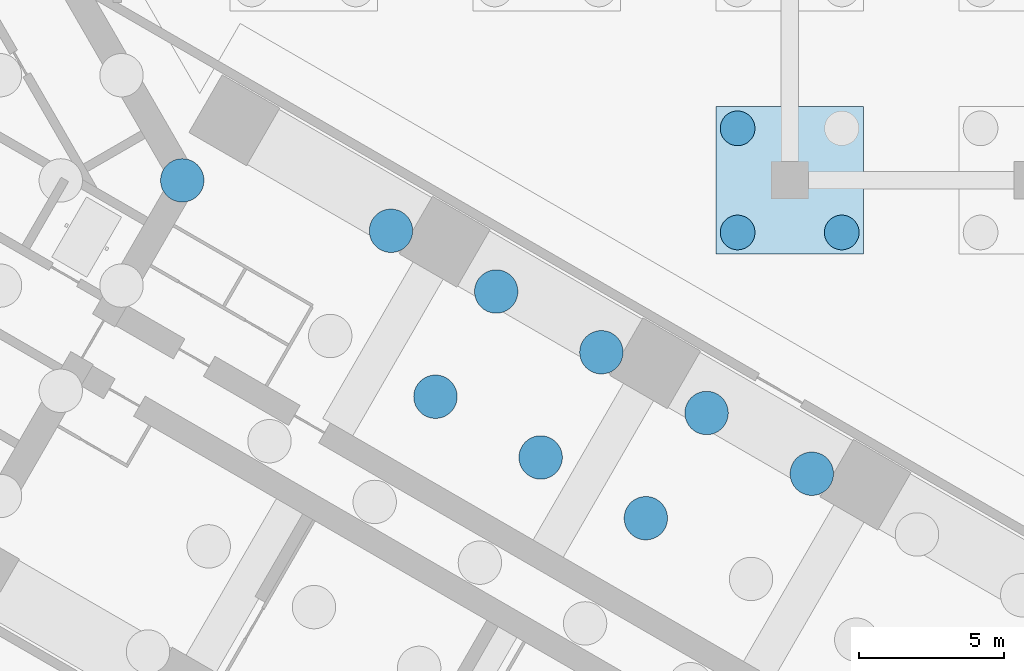
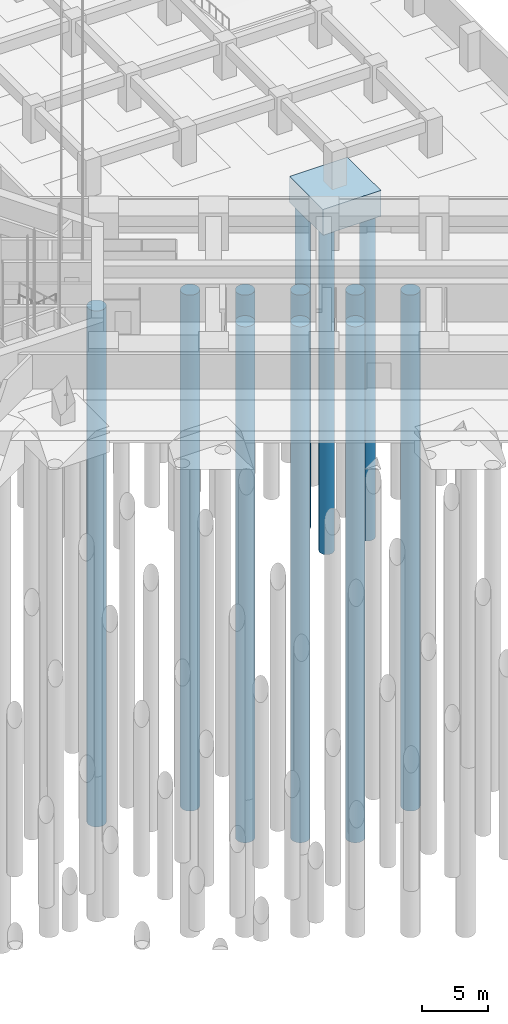
# One storey, part 26 of 73: 12 piles, 1 footing.
"""IFC4 building model written with IfcOpenShell, lengths in metres."""

import ifcopenshell
import ifcopenshell.guid

model = None  # the IFC model being written
_history = None  # IfcOwnerHistory: only IFC2X3 demands one
_inside = {}  # id of a spatial element -> (the spatial element, [elements in it])
_under = {}  # id of a project, library or spatial element -> (it, [spatial elements below it])
_declared = {}  # id of a project -> (the project, [libraries it declares])
_typed = {}  # id of a type object -> (the type object, [elements of that type])
_made_of = {}  # id of a material, layer set ... -> (it, [elements and type objects made of it])


def new_model(schema):
    """Start an empty IFC model of exactly this schema.

    Asked for "IFC4X3", IfcOpenShell would pick the latest addendum, in which some entities
    have other attributes; the version numbers below select the first issue.
    IFC2X3 requires an IfcOwnerHistory on every rooted entity: one is made here for all.
    """
    global model, _history
    if schema == "IFC4X3":
        model = ifcopenshell.file(schema_version=(4, 3, 0, 0))
    else:
        model = ifcopenshell.file(schema=schema)
    _inside.clear()
    _under.clear()
    _declared.clear()
    _typed.clear()
    _made_of.clear()
    _history = None
    if model.schema == "IFC2X3":
        org = make("IfcOrganization", Name="unknown")
        user = make(
            "IfcPersonAndOrganization",
            ThePerson=make("IfcPerson", FamilyName="unknown"),
            TheOrganization=org,
        )
        app = make(
            "IfcApplication",
            ApplicationDeveloper=org,
            Version="unknown",
            ApplicationFullName="unknown",
            ApplicationIdentifier="unknown",
        )
        _history = make(
            "IfcOwnerHistory",
            OwningUser=user,
            OwningApplication=app,
            ChangeAction="ADDED",
            CreationDate=0,
        )
    return model


def make(cls, **values):
    """One entity of the class cls with the attributes given. An attribute that is None is left unset."""
    return model.create_entity(
        cls, **{name: value for name, value in values.items() if value is not None}
    )


def rooted(cls, **values):
    """An entity with a GlobalId (a new one), such as an element, a storey or a relation."""
    return make(cls, GlobalId=ifcopenshell.guid.new(), OwnerHistory=_history, **values)


def si_unit(unit_type, name, prefix=None):
    """IfcSIUnit, for example si_unit("LENGTHUNIT", "METRE", prefix="MILLI")."""
    return make("IfcSIUnit", UnitType=unit_type, Prefix=prefix, Name=name)


def assignment(units):
    """IfcUnitAssignment: the units of a project."""
    return None if units is None else make("IfcUnitAssignment", Units=units)


def point(xyz):
    """IfcCartesianPoint."""
    return None if xyz is None else make("IfcCartesianPoint", Coordinates=xyz)


def direction(xyz):
    """IfcDirection."""
    return None if xyz is None else make("IfcDirection", DirectionRatios=xyz)


def frame(location, z_axis=None, x_axis=None):
    """IfcAxis2Placement3D, a coordinate frame: its origin and axes. An axis left out is left unset."""
    return make(
        "IfcAxis2Placement3D",
        Location=point(location),
        Axis=direction(z_axis),
        RefDirection=direction(x_axis),
    )


def frame_2d(location, x_axis=None):
    """IfcAxis2Placement2D, a coordinate frame in the plane: its origin and x axis."""
    return make(
        "IfcAxis2Placement2D", Location=point(location), RefDirection=direction(x_axis)
    )


def origin():
    """The frame at (0, 0, 0) with its axes left unset."""
    return frame((0.0, 0.0, 0.0))


def origin_2d():
    """The frame at (0, 0) in the plane with its x axis left unset."""
    return frame_2d((0.0, 0.0))


def place(relative_to, where):
    """IfcLocalPlacement: puts the frame where relative to a parent placement (None: the world)."""
    return make(
        "IfcLocalPlacement", PlacementRelTo=relative_to, RelativePlacement=where
    )


def context(
    kind, dimensions, precision=None, world=None, true_north=None, identifier=None
):
    """IfcGeometricRepresentationContext, for example the 3D "Model" context."""
    return make(
        "IfcGeometricRepresentationContext",
        ContextIdentifier=identifier,
        ContextType=kind,
        CoordinateSpaceDimension=dimensions,
        Precision=precision,
        WorldCoordinateSystem=world,
        TrueNorth=true_north,
    )


def subcontext(parent, identifier, kind, view, scale=None):
    """IfcGeometricRepresentationSubContext, for example "Body" below "Model"."""
    return make(
        "IfcGeometricRepresentationSubContext",
        ContextIdentifier=identifier,
        ContextType=kind,
        ParentContext=parent,
        TargetScale=scale,
        TargetView=view,
    )


def project(units=None, contexts=None):
    """IfcProject with its units and contexts."""
    return rooted(
        "IfcProject",
        Name="project",
        RepresentationContexts=contexts,
        UnitsInContext=assignment(units),
    )


def spatial(cls, under=None, at=None, **own):
    """A site, building, storey or space (cls), placed at a placement, below another one or the project."""
    s = rooted(cls, ObjectPlacement=at, **own)
    if under is not None:
        _under.setdefault(under.id(), (under, []))[1].append(s)
    return s


def polyline(points):
    """IfcPolyline through the points."""
    return make("IfcPolyline", Points=[point(p) for p in points])


def profile(cls, at=None, kind="AREA", **sizes):
    """A parametric profile (cls). Its sizes go by their IFC names, for example OverallWidth=200.0."""
    return make(cls, ProfileType=kind, Position=at, **sizes)


def circle(**sizes):
    """IfcCircleProfileDef."""
    return profile("IfcCircleProfileDef", **sizes)


def outline(outer, holes=None, kind="AREA"):
    """IfcArbitraryClosedProfileDef: a profile drawn as a closed curve; with holes, ...WithVoids."""
    if holes is None:
        return make("IfcArbitraryClosedProfileDef", ProfileType=kind, OuterCurve=outer)
    return make(
        "IfcArbitraryProfileDefWithVoids",
        ProfileType=kind,
        OuterCurve=outer,
        InnerCurves=holes,
    )


def extrude(swept, where, along, depth):
    """IfcExtrudedAreaSolid: the profile swept, set in the frame where, extruded along a direction by depth."""
    return make(
        "IfcExtrudedAreaSolid",
        SweptArea=swept,
        Position=where,
        ExtrudedDirection=direction(along),
        Depth=depth,
    )


def shape(context_of_items, identifier, shape_type, items):
    """IfcShapeRepresentation: the items that make up one representation, for example the "Body"."""
    return make(
        "IfcShapeRepresentation",
        ContextOfItems=context_of_items,
        RepresentationIdentifier=identifier,
        RepresentationType=shape_type,
        Items=items,
    )


def material(Name=None, Category=None):
    """IfcMaterial."""
    return make("IfcMaterial", Name=Name, Category=Category)


def material_profile(
    of_material, cross_section, Name=None, Category=None, Priority=None
):
    """IfcMaterialProfile: a cross section and its material."""
    return make(
        "IfcMaterialProfile",
        Name=Name,
        Material=of_material,
        Profile=cross_section,
        Priority=Priority,
        Category=Category,
    )


def profile_set(profiles, Name=None, composite=None):
    """IfcMaterialProfileSet."""
    return make(
        "IfcMaterialProfileSet",
        Name=Name,
        MaterialProfiles=profiles,
        CompositeProfile=composite,
    )


def made_of(thing, what):
    """Note that an element or type object is made of a material, layer set ...; save() writes the relation."""
    if what is not None:
        _made_of.setdefault(what.id(), (what, []))[1].append(thing)
    return thing


def type_object(cls, material=None, **own):
    """A type object (cls), such as IfcWallType, which elements share."""
    return made_of(rooted(cls, **own), material)


def element(
    cls,
    number,
    at=None,
    inside=None,
    cuts=None,
    type_object=None,
    material=None,
    context=None,
    identifier="Body",
    shape_type=None,
    held_by="IfcProductDefinitionShape",
    body=None,
    shapes=None,
    **own,
):
    """One element of the class cls, such as IfcWall. Its Tag is "e" and its number.

    at: its placement. inside: the storey or other place that contains it. cuts: it is an
    opening in that element (IfcRelVoidsElement). A single representation is given by context,
    identifier, shape_type and body (its items); several are given by shapes. held_by: the class
    of the entity that holds the representations. save() writes the other relations.
    """
    e = rooted(cls, Tag="e%d" % number, ObjectPlacement=at, **own)
    if body is not None:
        shapes = [shape(context, identifier, shape_type, body)]
    if shapes is not None:
        e.Representation = make(held_by, Representations=shapes)
    if inside is not None:
        _inside.setdefault(inside.id(), (inside, []))[1].append(e)
    if cuts is not None:
        rooted(
            "IfcRelVoidsElement", RelatingBuildingElement=cuts, RelatedOpeningElement=e
        )
    if type_object is not None:
        _typed.setdefault(type_object.id(), (type_object, []))[1].append(e)
    return made_of(e, material)


def aggregate(whole, parts):
    """IfcRelAggregates: a whole, such as a stair, and the parts it consists of."""
    return rooted("IfcRelAggregates", RelatingObject=whole, RelatedObjects=parts)


def save(model, path):
    """Write the relations noted so far, then the file.

    IfcRelAggregates (storeys below a building ...), IfcRelContainedInSpatialStructure (elements
    in a storey), IfcRelDefinesByType, IfcRelAssociatesMaterial and IfcRelDeclares: one each for
    every whole, place, type object, material and project.
    """
    for whole, parts in _under.values():
        aggregate(whole, parts)
    for where, things in _inside.values():
        rooted(
            "IfcRelContainedInSpatialStructure",
            RelatedElements=things,
            RelatingStructure=where,
        )
    for kind, things in _typed.values():
        rooted("IfcRelDefinesByType", RelatedObjects=things, RelatingType=kind)
    for what, things in _made_of.values():
        rooted("IfcRelAssociatesMaterial", RelatedObjects=things, RelatingMaterial=what)
    for by, libraries in _declared.values():
        rooted("IfcRelDeclares", RelatingContext=by, RelatedDefinitions=libraries)
    model.write(path)


model = new_model("IFC4")

# Units and contexts
model_context = context("Model", 3, precision=1e-05, world=origin(), true_north=direction((0.0, 1.0)))
body_context = subcontext(model_context, "Body", "Model", "MODEL_VIEW")
ifc_project = project(units=[si_unit("LENGTHUNIT", "METRE"), si_unit("AREAUNIT", "SQUARE_METRE"), si_unit("VOLUMEUNIT", "CUBIC_METRE"), si_unit("PLANEANGLEUNIT", "RADIAN"), si_unit("MASSUNIT", "GRAM", prefix="KILO")], contexts=[model_context])

# Site, building, storey
site_placement = place(None, origin())
site = spatial("IfcSite", under=ifc_project, at=site_placement, CompositionType="ELEMENT")
building_placement = place(site_placement, origin())
building = spatial("IfcBuilding", under=site, at=building_placement, Name="Impinga Residences", CompositionType="ELEMENT")
storey_placement = place(building_placement, frame((0.0, 0.0, -10.5)))
storey = spatial("IfcBuildingStorey", under=building, at=storey_placement, Name="B3", CompositionType="ELEMENT", Elevation=-10.5)

# Piles
ifc_material_1 = material(Name="Concrete C35/45", Category="concrete")
ifc_material_profile_1 = material_profile(ifc_material_1, circle(Radius=0.75, at=origin_2d()), Name="D1500")
ifc_profile_set_1 = profile_set([ifc_material_profile_1], Name="Concrete C35/45")
pile_type_1 = type_object("IfcPileType", Name="BP1 bored pile D1500", PredefinedType="BORED", material=ifc_profile_set_1)
pile_1_placement = place(storey_placement, frame((28.627685546875, -11.678466796875, -4.0), z_axis=(0.0, 0.0, -1.0), x_axis=(1.0, 0.0, 0.0)))
element("IfcPile", 1, at=pile_1_placement, inside=storey, type_object=pile_type_1, Name="Raft pile BP1-056", PredefinedType="BORED", context=body_context, shape_type="SweptSolid", body=[
    extrude(outline(polyline([(0.75, 0.0), (0.746337890625, 0.073486328125), (0.735595703125, 0.146240234375), (0.7177734375, 0.2177734375), (0.69287109375, 0.287109375), (0.661376953125, 0.353515625), (0.62353515625, 0.416748046875), (0.579833984375, 0.475830078125), (0.5302734375, 0.5302734375), (0.475830078125, 0.579833984375), (0.416748046875, 0.62353515625), (0.353515625, 0.661376953125), (0.287109375, 0.69287109375), (0.2177734375, 0.7177734375), (0.146240234375, 0.735595703125), (0.073486328125, 0.746337890625), (0.0, 0.75), (-0.073486328125, 0.746337890625), (-0.146240234375, 0.735595703125), (-0.2177734375, 0.7177734375), (-0.287109375, 0.69287109375), (-0.353515625, 0.661376953125), (-0.416748046875, 0.62353515625), (-0.475830078125, 0.579833984375), (-0.5302734375, 0.5302734375), (-0.579833984375, 0.475830078125), (-0.62353515625, 0.416748046875), (-0.661376953125, 0.353515625), (-0.69287109375, 0.287109375), (-0.7177734375, 0.2177734375), (-0.735595703125, 0.146240234375), (-0.746337890625, 0.073486328125), (-0.75, 0.0), (-0.746337890625, -0.073486328125), (-0.735595703125, -0.146240234375), (-0.7177734375, -0.2177734375), (-0.69287109375, -0.287109375), (-0.661376953125, -0.353515625), (-0.62353515625, -0.416748046875), (-0.579833984375, -0.475830078125), (-0.5302734375, -0.5302734375), (-0.475830078125, -0.579833984375), (-0.416748046875, -0.62353515625), (-0.353515625, -0.661376953125), (-0.287109375, -0.69287109375), (-0.2177734375, -0.7177734375), (-0.146240234375, -0.735595703125), (-0.073486328125, -0.746337890625), (0.0, -0.75), (0.073486328125, -0.746337890625), (0.146240234375, -0.735595703125), (0.2177734375, -0.7177734375), (0.287109375, -0.69287109375), (0.353515625, -0.661376953125), (0.416748046875, -0.62353515625), (0.475830078125, -0.579833984375), (0.5302734375, -0.5302734375), (0.579833984375, -0.475830078125), (0.62353515625, -0.416748046875), (0.661376953125, -0.353515625), (0.69287109375, -0.287109375), (0.7177734375, -0.2177734375), (0.735595703125, -0.146240234375), (0.746337890625, -0.073486328125), (0.75, 0.0)])), origin(), (0.0, 0.0, 1.0), 48.0),
])
pile_2_placement = place(storey_placement, frame((34.364990234375, -10.14111328125, -4.0), z_axis=(0.0, 0.0, -1.0), x_axis=(1.0, 0.0, 0.0)))
element("IfcPile", 2, at=pile_2_placement, inside=storey, type_object=pile_type_1, Name="Raft pile BP1-064", PredefinedType="BORED", context=body_context, shape_type="SweptSolid", body=[
    extrude(outline(polyline([(0.75, 0.0), (0.746337890625, 0.073486328125), (0.735595703125, 0.146240234375), (0.7177734375, 0.2177734375), (0.69287109375, 0.287109375), (0.661376953125, 0.353515625), (0.62353515625, 0.416748046875), (0.579833984375, 0.475830078125), (0.5302734375, 0.5302734375), (0.475830078125, 0.579833984375), (0.416748046875, 0.62353515625), (0.353515625, 0.661376953125), (0.287109375, 0.69287109375), (0.2177734375, 0.7177734375), (0.146240234375, 0.735595703125), (0.073486328125, 0.746337890625), (0.0, 0.75), (-0.073486328125, 0.746337890625), (-0.146240234375, 0.735595703125), (-0.2177734375, 0.7177734375), (-0.287109375, 0.69287109375), (-0.353515625, 0.661376953125), (-0.416748046875, 0.62353515625), (-0.475830078125, 0.579833984375), (-0.5302734375, 0.5302734375), (-0.579833984375, 0.475830078125), (-0.62353515625, 0.416748046875), (-0.661376953125, 0.353515625), (-0.69287109375, 0.287109375), (-0.7177734375, 0.2177734375), (-0.735595703125, 0.146240234375), (-0.746337890625, 0.073486328125), (-0.75, 0.0), (-0.746337890625, -0.073486328125), (-0.735595703125, -0.146240234375), (-0.7177734375, -0.2177734375), (-0.69287109375, -0.287109375), (-0.661376953125, -0.353515625), (-0.62353515625, -0.416748046875), (-0.579833984375, -0.475830078125), (-0.5302734375, -0.5302734375), (-0.475830078125, -0.579833984375), (-0.416748046875, -0.62353515625), (-0.353515625, -0.661376953125), (-0.287109375, -0.69287109375), (-0.2177734375, -0.7177734375), (-0.146240234375, -0.735595703125), (-0.073486328125, -0.746337890625), (0.0, -0.75), (0.073486328125, -0.746337890625), (0.146240234375, -0.735595703125), (0.2177734375, -0.7177734375), (0.287109375, -0.69287109375), (0.353515625, -0.661376953125), (0.416748046875, -0.62353515625), (0.475830078125, -0.579833984375), (0.5302734375, -0.5302734375), (0.579833984375, -0.475830078125), (0.62353515625, -0.416748046875), (0.661376953125, -0.353515625), (0.69287109375, -0.287109375), (0.7177734375, -0.2177734375), (0.735595703125, -0.146240234375), (0.746337890625, -0.073486328125), (0.75, 0.0)])), origin(), (0.0, 0.0, 1.0), 48.0),
])
pile_3_placement = place(storey_placement, frame((24.990478515625, -9.578369140625, -4.0), z_axis=(0.0, 0.0, -1.0), x_axis=(1.0, 0.0, 0.0)))
element("IfcPile", 3, at=pile_3_placement, inside=storey, type_object=pile_type_1, Name="Raft pile BP1-066", PredefinedType="BORED", context=body_context, shape_type="SweptSolid", body=[
    extrude(outline(polyline([(0.75, 0.0), (0.746337890625, 0.073486328125), (0.735595703125, 0.146240234375), (0.7177734375, 0.2177734375), (0.69287109375, 0.287109375), (0.661376953125, 0.353515625), (0.62353515625, 0.416748046875), (0.579833984375, 0.475830078125), (0.5302734375, 0.5302734375), (0.475830078125, 0.579833984375), (0.416748046875, 0.62353515625), (0.353515625, 0.661376953125), (0.287109375, 0.69287109375), (0.2177734375, 0.7177734375), (0.146240234375, 0.735595703125), (0.073486328125, 0.746337890625), (0.0, 0.75), (-0.073486328125, 0.746337890625), (-0.146240234375, 0.735595703125), (-0.2177734375, 0.7177734375), (-0.287109375, 0.69287109375), (-0.353515625, 0.661376953125), (-0.416748046875, 0.62353515625), (-0.475830078125, 0.579833984375), (-0.5302734375, 0.5302734375), (-0.579833984375, 0.475830078125), (-0.62353515625, 0.416748046875), (-0.661376953125, 0.353515625), (-0.69287109375, 0.287109375), (-0.7177734375, 0.2177734375), (-0.735595703125, 0.146240234375), (-0.746337890625, 0.073486328125), (-0.75, 0.0), (-0.746337890625, -0.073486328125), (-0.735595703125, -0.146240234375), (-0.7177734375, -0.2177734375), (-0.69287109375, -0.287109375), (-0.661376953125, -0.353515625), (-0.62353515625, -0.416748046875), (-0.579833984375, -0.475830078125), (-0.5302734375, -0.5302734375), (-0.475830078125, -0.579833984375), (-0.416748046875, -0.62353515625), (-0.353515625, -0.661376953125), (-0.287109375, -0.69287109375), (-0.2177734375, -0.7177734375), (-0.146240234375, -0.735595703125), (-0.073486328125, -0.746337890625), (0.0, -0.75), (0.073486328125, -0.746337890625), (0.146240234375, -0.735595703125), (0.2177734375, -0.7177734375), (0.287109375, -0.69287109375), (0.353515625, -0.661376953125), (0.416748046875, -0.62353515625), (0.475830078125, -0.579833984375), (0.5302734375, -0.5302734375), (0.579833984375, -0.475830078125), (0.62353515625, -0.416748046875), (0.661376953125, -0.353515625), (0.69287109375, -0.287109375), (0.7177734375, -0.2177734375), (0.735595703125, -0.146240234375), (0.746337890625, -0.073486328125), (0.75, 0.0)])), origin(), (0.0, 0.0, 1.0), 48.0),
])
pile_4_placement = place(storey_placement, frame((30.727783203125, -8.041259765625, -4.0), z_axis=(0.0, 0.0, -1.0), x_axis=(1.0, 0.0, 0.0)))
element("IfcPile", 4, at=pile_4_placement, inside=storey, type_object=pile_type_1, Name="Raft pile BP1-070", PredefinedType="BORED", context=body_context, shape_type="SweptSolid", body=[
    extrude(outline(polyline([(0.75, 0.0), (0.746337890625, 0.073486328125), (0.735595703125, 0.146240234375), (0.7177734375, 0.2177734375), (0.69287109375, 0.287109375), (0.661376953125, 0.353515625), (0.62353515625, 0.416748046875), (0.579833984375, 0.475830078125), (0.5302734375, 0.5302734375), (0.475830078125, 0.579833984375), (0.416748046875, 0.62353515625), (0.353515625, 0.661376953125), (0.287109375, 0.69287109375), (0.2177734375, 0.7177734375), (0.146240234375, 0.735595703125), (0.073486328125, 0.746337890625), (0.0, 0.75), (-0.073486328125, 0.746337890625), (-0.146240234375, 0.735595703125), (-0.2177734375, 0.7177734375), (-0.287109375, 0.69287109375), (-0.353515625, 0.661376953125), (-0.416748046875, 0.62353515625), (-0.475830078125, 0.579833984375), (-0.5302734375, 0.5302734375), (-0.579833984375, 0.475830078125), (-0.62353515625, 0.416748046875), (-0.661376953125, 0.353515625), (-0.69287109375, 0.287109375), (-0.7177734375, 0.2177734375), (-0.735595703125, 0.146240234375), (-0.746337890625, 0.073486328125), (-0.75, 0.0), (-0.746337890625, -0.073486328125), (-0.735595703125, -0.146240234375), (-0.7177734375, -0.2177734375), (-0.69287109375, -0.287109375), (-0.661376953125, -0.353515625), (-0.62353515625, -0.416748046875), (-0.579833984375, -0.475830078125), (-0.5302734375, -0.5302734375), (-0.475830078125, -0.579833984375), (-0.416748046875, -0.62353515625), (-0.353515625, -0.661376953125), (-0.287109375, -0.69287109375), (-0.2177734375, -0.7177734375), (-0.146240234375, -0.735595703125), (-0.073486328125, -0.746337890625), (0.0, -0.75), (0.073486328125, -0.746337890625), (0.146240234375, -0.735595703125), (0.2177734375, -0.7177734375), (0.287109375, -0.69287109375), (0.353515625, -0.661376953125), (0.416748046875, -0.62353515625), (0.475830078125, -0.579833984375), (0.5302734375, -0.5302734375), (0.579833984375, -0.475830078125), (0.62353515625, -0.416748046875), (0.661376953125, -0.353515625), (0.69287109375, -0.287109375), (0.7177734375, -0.2177734375), (0.735595703125, -0.146240234375), (0.746337890625, -0.073486328125), (0.75, 0.0)])), origin(), (0.0, 0.0, 1.0), 48.0),
])
pile_5_placement = place(storey_placement, frame((21.35302734375, -7.478515625, -4.0), z_axis=(0.0, 0.0, -1.0), x_axis=(1.0, 0.0, 0.0)))
element("IfcPile", 5, at=pile_5_placement, inside=storey, type_object=pile_type_1, Name="Raft pile BP1-072", PredefinedType="BORED", context=body_context, shape_type="SweptSolid", body=[
    extrude(outline(polyline([(0.75, 0.0), (0.746337890625, 0.073486328125), (0.735595703125, 0.146240234375), (0.7177734375, 0.2177734375), (0.69287109375, 0.287109375), (0.661376953125, 0.353515625), (0.62353515625, 0.416748046875), (0.579833984375, 0.475830078125), (0.5302734375, 0.5302734375), (0.475830078125, 0.579833984375), (0.416748046875, 0.62353515625), (0.353515625, 0.661376953125), (0.287109375, 0.69287109375), (0.2177734375, 0.7177734375), (0.146240234375, 0.735595703125), (0.073486328125, 0.746337890625), (0.0, 0.75), (-0.073486328125, 0.746337890625), (-0.146240234375, 0.735595703125), (-0.2177734375, 0.7177734375), (-0.287109375, 0.69287109375), (-0.353515625, 0.661376953125), (-0.416748046875, 0.62353515625), (-0.475830078125, 0.579833984375), (-0.5302734375, 0.5302734375), (-0.579833984375, 0.475830078125), (-0.62353515625, 0.416748046875), (-0.661376953125, 0.353515625), (-0.69287109375, 0.287109375), (-0.7177734375, 0.2177734375), (-0.735595703125, 0.146240234375), (-0.746337890625, 0.073486328125), (-0.75, 0.0), (-0.746337890625, -0.073486328125), (-0.735595703125, -0.146240234375), (-0.7177734375, -0.2177734375), (-0.69287109375, -0.287109375), (-0.661376953125, -0.353515625), (-0.62353515625, -0.416748046875), (-0.579833984375, -0.475830078125), (-0.5302734375, -0.5302734375), (-0.475830078125, -0.579833984375), (-0.416748046875, -0.62353515625), (-0.353515625, -0.661376953125), (-0.287109375, -0.69287109375), (-0.2177734375, -0.7177734375), (-0.146240234375, -0.735595703125), (-0.073486328125, -0.746337890625), (0.0, -0.75), (0.073486328125, -0.746337890625), (0.146240234375, -0.735595703125), (0.2177734375, -0.7177734375), (0.287109375, -0.69287109375), (0.353515625, -0.661376953125), (0.416748046875, -0.62353515625), (0.475830078125, -0.579833984375), (0.5302734375, -0.5302734375), (0.579833984375, -0.475830078125), (0.62353515625, -0.416748046875), (0.661376953125, -0.353515625), (0.69287109375, -0.287109375), (0.7177734375, -0.2177734375), (0.735595703125, -0.146240234375), (0.746337890625, -0.073486328125), (0.75, 0.0)])), origin(), (0.0, 0.0, 1.0), 48.0),
])
pile_6_placement = place(storey_placement, frame((27.09033203125, -5.941162109375, -4.0), z_axis=(0.0, 0.0, -1.0), x_axis=(1.0, 0.0, 0.0)))
element("IfcPile", 6, at=pile_6_placement, inside=storey, type_object=pile_type_1, Name="Raft pile BP1-079", PredefinedType="BORED", context=body_context, shape_type="SweptSolid", body=[
    extrude(outline(polyline([(0.75, 0.0), (0.746337890625, 0.073486328125), (0.735595703125, 0.146240234375), (0.7177734375, 0.2177734375), (0.69287109375, 0.287109375), (0.661376953125, 0.353515625), (0.62353515625, 0.416748046875), (0.579833984375, 0.475830078125), (0.5302734375, 0.5302734375), (0.475830078125, 0.579833984375), (0.416748046875, 0.62353515625), (0.353515625, 0.661376953125), (0.287109375, 0.69287109375), (0.2177734375, 0.7177734375), (0.146240234375, 0.735595703125), (0.073486328125, 0.746337890625), (0.0, 0.75), (-0.073486328125, 0.746337890625), (-0.146240234375, 0.735595703125), (-0.2177734375, 0.7177734375), (-0.287109375, 0.69287109375), (-0.353515625, 0.661376953125), (-0.416748046875, 0.62353515625), (-0.475830078125, 0.579833984375), (-0.5302734375, 0.5302734375), (-0.579833984375, 0.475830078125), (-0.62353515625, 0.416748046875), (-0.661376953125, 0.353515625), (-0.69287109375, 0.287109375), (-0.7177734375, 0.2177734375), (-0.735595703125, 0.146240234375), (-0.746337890625, 0.073486328125), (-0.75, 0.0), (-0.746337890625, -0.073486328125), (-0.735595703125, -0.146240234375), (-0.7177734375, -0.2177734375), (-0.69287109375, -0.287109375), (-0.661376953125, -0.353515625), (-0.62353515625, -0.416748046875), (-0.579833984375, -0.475830078125), (-0.5302734375, -0.5302734375), (-0.475830078125, -0.579833984375), (-0.416748046875, -0.62353515625), (-0.353515625, -0.661376953125), (-0.287109375, -0.69287109375), (-0.2177734375, -0.7177734375), (-0.146240234375, -0.735595703125), (-0.073486328125, -0.746337890625), (0.0, -0.75), (0.073486328125, -0.746337890625), (0.146240234375, -0.735595703125), (0.2177734375, -0.7177734375), (0.287109375, -0.69287109375), (0.353515625, -0.661376953125), (0.416748046875, -0.62353515625), (0.475830078125, -0.579833984375), (0.5302734375, -0.5302734375), (0.579833984375, -0.475830078125), (0.62353515625, -0.416748046875), (0.661376953125, -0.353515625), (0.69287109375, -0.287109375), (0.7177734375, -0.2177734375), (0.735595703125, -0.146240234375), (0.746337890625, -0.073486328125), (0.75, 0.0)])), origin(), (0.0, 0.0, 1.0), 48.0),
])
pile_7_placement = place(storey_placement, frame((23.453125, -3.841064453125, -4.0), z_axis=(0.0, 0.0, -1.0), x_axis=(1.0, 0.0, 0.0)))
element("IfcPile", 7, at=pile_7_placement, inside=storey, type_object=pile_type_1, Name="Raft pile BP1-083", PredefinedType="BORED", context=body_context, shape_type="SweptSolid", body=[
    extrude(outline(polyline([(0.75, 0.0), (0.746337890625, 0.073486328125), (0.735595703125, 0.146240234375), (0.7177734375, 0.2177734375), (0.69287109375, 0.287109375), (0.661376953125, 0.353515625), (0.62353515625, 0.416748046875), (0.579833984375, 0.475830078125), (0.5302734375, 0.5302734375), (0.475830078125, 0.579833984375), (0.416748046875, 0.62353515625), (0.353515625, 0.661376953125), (0.287109375, 0.69287109375), (0.2177734375, 0.7177734375), (0.146240234375, 0.735595703125), (0.073486328125, 0.746337890625), (0.0, 0.75), (-0.073486328125, 0.746337890625), (-0.146240234375, 0.735595703125), (-0.2177734375, 0.7177734375), (-0.287109375, 0.69287109375), (-0.353515625, 0.661376953125), (-0.416748046875, 0.62353515625), (-0.475830078125, 0.579833984375), (-0.5302734375, 0.5302734375), (-0.579833984375, 0.475830078125), (-0.62353515625, 0.416748046875), (-0.661376953125, 0.353515625), (-0.69287109375, 0.287109375), (-0.7177734375, 0.2177734375), (-0.735595703125, 0.146240234375), (-0.746337890625, 0.073486328125), (-0.75, 0.0), (-0.746337890625, -0.073486328125), (-0.735595703125, -0.146240234375), (-0.7177734375, -0.2177734375), (-0.69287109375, -0.287109375), (-0.661376953125, -0.353515625), (-0.62353515625, -0.416748046875), (-0.579833984375, -0.475830078125), (-0.5302734375, -0.5302734375), (-0.475830078125, -0.579833984375), (-0.416748046875, -0.62353515625), (-0.353515625, -0.661376953125), (-0.287109375, -0.69287109375), (-0.2177734375, -0.7177734375), (-0.146240234375, -0.735595703125), (-0.073486328125, -0.746337890625), (0.0, -0.75), (0.073486328125, -0.746337890625), (0.146240234375, -0.735595703125), (0.2177734375, -0.7177734375), (0.287109375, -0.69287109375), (0.353515625, -0.661376953125), (0.416748046875, -0.62353515625), (0.475830078125, -0.579833984375), (0.5302734375, -0.5302734375), (0.579833984375, -0.475830078125), (0.62353515625, -0.416748046875), (0.661376953125, -0.353515625), (0.69287109375, -0.287109375), (0.7177734375, -0.2177734375), (0.735595703125, -0.146240234375), (0.746337890625, -0.073486328125), (0.75, 0.0)])), origin(), (0.0, 0.0, 1.0), 48.0),
])
pile_8_placement = place(storey_placement, frame((19.815673828125, -1.7412109375, -4.0), z_axis=(0.0, 0.0, -1.0), x_axis=(1.0, 0.0, 0.0)))
element("IfcPile", 8, at=pile_8_placement, inside=storey, type_object=pile_type_1, Name="Raft pile BP1-091", PredefinedType="BORED", context=body_context, shape_type="SweptSolid", body=[
    extrude(outline(polyline([(0.75, 0.0), (0.746337890625, 0.073486328125), (0.735595703125, 0.146240234375), (0.7177734375, 0.2177734375), (0.69287109375, 0.287109375), (0.661376953125, 0.353515625), (0.62353515625, 0.416748046875), (0.579833984375, 0.475830078125), (0.5302734375, 0.5302734375), (0.475830078125, 0.579833984375), (0.416748046875, 0.62353515625), (0.353515625, 0.661376953125), (0.287109375, 0.69287109375), (0.2177734375, 0.7177734375), (0.146240234375, 0.735595703125), (0.073486328125, 0.746337890625), (0.0, 0.75), (-0.073486328125, 0.746337890625), (-0.146240234375, 0.735595703125), (-0.2177734375, 0.7177734375), (-0.287109375, 0.69287109375), (-0.353515625, 0.661376953125), (-0.416748046875, 0.62353515625), (-0.475830078125, 0.579833984375), (-0.5302734375, 0.5302734375), (-0.579833984375, 0.475830078125), (-0.62353515625, 0.416748046875), (-0.661376953125, 0.353515625), (-0.69287109375, 0.287109375), (-0.7177734375, 0.2177734375), (-0.735595703125, 0.146240234375), (-0.746337890625, 0.073486328125), (-0.75, 0.0), (-0.746337890625, -0.073486328125), (-0.735595703125, -0.146240234375), (-0.7177734375, -0.2177734375), (-0.69287109375, -0.287109375), (-0.661376953125, -0.353515625), (-0.62353515625, -0.416748046875), (-0.579833984375, -0.475830078125), (-0.5302734375, -0.5302734375), (-0.475830078125, -0.579833984375), (-0.416748046875, -0.62353515625), (-0.353515625, -0.661376953125), (-0.287109375, -0.69287109375), (-0.2177734375, -0.7177734375), (-0.146240234375, -0.735595703125), (-0.073486328125, -0.746337890625), (0.0, -0.75), (0.073486328125, -0.746337890625), (0.146240234375, -0.735595703125), (0.2177734375, -0.7177734375), (0.287109375, -0.69287109375), (0.353515625, -0.661376953125), (0.416748046875, -0.62353515625), (0.475830078125, -0.579833984375), (0.5302734375, -0.5302734375), (0.579833984375, -0.475830078125), (0.62353515625, -0.416748046875), (0.661376953125, -0.353515625), (0.69287109375, -0.287109375), (0.7177734375, -0.2177734375), (0.735595703125, -0.146240234375), (0.746337890625, -0.073486328125), (0.75, 0.0)])), origin(), (0.0, 0.0, 1.0), 48.0),
])
pile_9_placement = place(storey_placement, frame((12.60009765625, 0.0, -4.0), z_axis=(0.0, 0.0, -1.0), x_axis=(1.0, 0.0, 0.0)))
element("IfcPile", 9, at=pile_9_placement, inside=storey, type_object=pile_type_1, Name="Raft pile BP1-098", PredefinedType="BORED", context=body_context, shape_type="SweptSolid", body=[
    extrude(outline(polyline([(0.75, 0.0), (0.746337890625, 0.073486328125), (0.735595703125, 0.146240234375), (0.7177734375, 0.2177734375), (0.69287109375, 0.287109375), (0.661376953125, 0.353515625), (0.62353515625, 0.416748046875), (0.579833984375, 0.475830078125), (0.5302734375, 0.5302734375), (0.475830078125, 0.579833984375), (0.416748046875, 0.62353515625), (0.353515625, 0.661376953125), (0.287109375, 0.69287109375), (0.2177734375, 0.7177734375), (0.146240234375, 0.735595703125), (0.073486328125, 0.746337890625), (0.0, 0.75), (-0.073486328125, 0.746337890625), (-0.146240234375, 0.735595703125), (-0.2177734375, 0.7177734375), (-0.287109375, 0.69287109375), (-0.353515625, 0.661376953125), (-0.416748046875, 0.62353515625), (-0.475830078125, 0.579833984375), (-0.5302734375, 0.5302734375), (-0.579833984375, 0.475830078125), (-0.62353515625, 0.416748046875), (-0.661376953125, 0.353515625), (-0.69287109375, 0.287109375), (-0.7177734375, 0.2177734375), (-0.735595703125, 0.146240234375), (-0.746337890625, 0.073486328125), (-0.75, 0.0), (-0.746337890625, -0.073486328125), (-0.735595703125, -0.146240234375), (-0.7177734375, -0.2177734375), (-0.69287109375, -0.287109375), (-0.661376953125, -0.353515625), (-0.62353515625, -0.416748046875), (-0.579833984375, -0.475830078125), (-0.5302734375, -0.5302734375), (-0.475830078125, -0.579833984375), (-0.416748046875, -0.62353515625), (-0.353515625, -0.661376953125), (-0.287109375, -0.69287109375), (-0.2177734375, -0.7177734375), (-0.146240234375, -0.735595703125), (-0.073486328125, -0.746337890625), (0.0, -0.75), (0.073486328125, -0.746337890625), (0.146240234375, -0.735595703125), (0.2177734375, -0.7177734375), (0.287109375, -0.69287109375), (0.353515625, -0.661376953125), (0.416748046875, -0.62353515625), (0.475830078125, -0.579833984375), (0.5302734375, -0.5302734375), (0.579833984375, -0.475830078125), (0.62353515625, -0.416748046875), (0.661376953125, -0.353515625), (0.69287109375, -0.287109375), (0.7177734375, -0.2177734375), (0.735595703125, -0.146240234375), (0.746337890625, -0.073486328125), (0.75, 0.0)])), origin(), (0.0, 0.0, 1.0), 48.0),
])
ifc_material_profile_2 = material_profile(ifc_material_1, circle(Radius=0.60009765625, at=origin_2d()), Name="D1200")
ifc_profile_set_2 = profile_set([ifc_material_profile_2], Name="Concrete C35/45")
pile_type_2 = type_object("IfcPileType", Name="BP2 bored pile D1200", PredefinedType="BORED", material=ifc_profile_set_2)
pile_10_placement = place(storey_placement, frame((31.800048828125, -1.800048828125, -2.39990234375), z_axis=(0.0, 0.0, -1.0), x_axis=(1.0, 0.0, 0.0)))
element("IfcPile", 10, at=pile_10_placement, inside=storey, type_object=pile_type_2, Name="Cap pile BP2 11/F-1", PredefinedType="BORED", context=body_context, shape_type="SweptSolid", body=[
    extrude(outline(polyline([(0.60009765625, 0.0), (0.59716796875, 0.058837890625), (0.58837890625, 0.116943359375), (0.57421875, 0.174072265625), (0.554443359375, 0.2294921875), (0.529052734375, 0.282958984375), (0.498779296875, 0.333251953125), (0.4638671875, 0.380615234375), (0.42431640625, 0.42431640625), (0.380615234375, 0.4638671875), (0.333251953125, 0.498779296875), (0.282958984375, 0.529052734375), (0.2294921875, 0.554443359375), (0.174072265625, 0.57421875), (0.116943359375, 0.58837890625), (0.058837890625, 0.59716796875), (0.0, 0.60009765625), (-0.058837890625, 0.59716796875), (-0.116943359375, 0.58837890625), (-0.174072265625, 0.57421875), (-0.2294921875, 0.554443359375), (-0.282958984375, 0.529052734375), (-0.333251953125, 0.498779296875), (-0.380615234375, 0.4638671875), (-0.42431640625, 0.42431640625), (-0.4638671875, 0.380615234375), (-0.498779296875, 0.333251953125), (-0.529052734375, 0.282958984375), (-0.554443359375, 0.2294921875), (-0.57421875, 0.174072265625), (-0.58837890625, 0.116943359375), (-0.59716796875, 0.058837890625), (-0.60009765625, 0.0), (-0.59716796875, -0.058837890625), (-0.58837890625, -0.116943359375), (-0.57421875, -0.174072265625), (-0.554443359375, -0.2294921875), (-0.529052734375, -0.282958984375), (-0.498779296875, -0.333251953125), (-0.4638671875, -0.380615234375), (-0.42431640625, -0.42431640625), (-0.380615234375, -0.4638671875), (-0.333251953125, -0.498779296875), (-0.282958984375, -0.529052734375), (-0.2294921875, -0.554443359375), (-0.174072265625, -0.57421875), (-0.116943359375, -0.58837890625), (-0.058837890625, -0.59716796875), (0.0, -0.60009765625), (0.058837890625, -0.59716796875), (0.116943359375, -0.58837890625), (0.174072265625, -0.57421875), (0.2294921875, -0.554443359375), (0.282958984375, -0.529052734375), (0.333251953125, -0.498779296875), (0.380615234375, -0.4638671875), (0.42431640625, -0.42431640625), (0.4638671875, -0.380615234375), (0.498779296875, -0.333251953125), (0.529052734375, -0.282958984375), (0.554443359375, -0.2294921875), (0.57421875, -0.174072265625), (0.58837890625, -0.116943359375), (0.59716796875, -0.058837890625), (0.60009765625, 0.0)])), origin(), (0.0, 0.0, 1.0), 30.0),
])
pile_11_placement = place(storey_placement, frame((35.39990234375, -1.800048828125, -2.39990234375), z_axis=(0.0, 0.0, -1.0), x_axis=(1.0, 0.0, 0.0)))
element("IfcPile", 11, at=pile_11_placement, inside=storey, type_object=pile_type_2, Name="Cap pile BP2 11/F-2", PredefinedType="BORED", context=body_context, shape_type="SweptSolid", body=[
    extrude(outline(polyline([(0.60009765625, 0.0), (0.59716796875, 0.058837890625), (0.58837890625, 0.116943359375), (0.57421875, 0.174072265625), (0.554443359375, 0.2294921875), (0.529052734375, 0.282958984375), (0.498779296875, 0.333251953125), (0.4638671875, 0.380615234375), (0.42431640625, 0.42431640625), (0.380615234375, 0.4638671875), (0.333251953125, 0.498779296875), (0.282958984375, 0.529052734375), (0.2294921875, 0.554443359375), (0.174072265625, 0.57421875), (0.116943359375, 0.58837890625), (0.058837890625, 0.59716796875), (0.0, 0.60009765625), (-0.058837890625, 0.59716796875), (-0.116943359375, 0.58837890625), (-0.174072265625, 0.57421875), (-0.2294921875, 0.554443359375), (-0.282958984375, 0.529052734375), (-0.333251953125, 0.498779296875), (-0.380615234375, 0.4638671875), (-0.42431640625, 0.42431640625), (-0.4638671875, 0.380615234375), (-0.498779296875, 0.333251953125), (-0.529052734375, 0.282958984375), (-0.554443359375, 0.2294921875), (-0.57421875, 0.174072265625), (-0.58837890625, 0.116943359375), (-0.59716796875, 0.058837890625), (-0.60009765625, 0.0), (-0.59716796875, -0.058837890625), (-0.58837890625, -0.116943359375), (-0.57421875, -0.174072265625), (-0.554443359375, -0.2294921875), (-0.529052734375, -0.282958984375), (-0.498779296875, -0.333251953125), (-0.4638671875, -0.380615234375), (-0.42431640625, -0.42431640625), (-0.380615234375, -0.4638671875), (-0.333251953125, -0.498779296875), (-0.282958984375, -0.529052734375), (-0.2294921875, -0.554443359375), (-0.174072265625, -0.57421875), (-0.116943359375, -0.58837890625), (-0.058837890625, -0.59716796875), (0.0, -0.60009765625), (0.058837890625, -0.59716796875), (0.116943359375, -0.58837890625), (0.174072265625, -0.57421875), (0.2294921875, -0.554443359375), (0.282958984375, -0.529052734375), (0.333251953125, -0.498779296875), (0.380615234375, -0.4638671875), (0.42431640625, -0.42431640625), (0.4638671875, -0.380615234375), (0.498779296875, -0.333251953125), (0.529052734375, -0.282958984375), (0.554443359375, -0.2294921875), (0.57421875, -0.174072265625), (0.58837890625, -0.116943359375), (0.59716796875, -0.058837890625), (0.60009765625, 0.0)])), origin(), (0.0, 0.0, 1.0), 30.0),
])
pile_12_placement = place(storey_placement, frame((31.800048828125, 1.800048828125, -2.39990234375), z_axis=(0.0, 0.0, -1.0), x_axis=(1.0, 0.0, 0.0)))
element("IfcPile", 12, at=pile_12_placement, inside=storey, type_object=pile_type_2, Name="Cap pile BP2 11/F-4", PredefinedType="BORED", context=body_context, shape_type="SweptSolid", body=[
    extrude(outline(polyline([(0.60009765625, 0.0), (0.59716796875, 0.058837890625), (0.58837890625, 0.116943359375), (0.57421875, 0.174072265625), (0.554443359375, 0.2294921875), (0.529052734375, 0.282958984375), (0.498779296875, 0.333251953125), (0.4638671875, 0.380615234375), (0.42431640625, 0.42431640625), (0.380615234375, 0.4638671875), (0.333251953125, 0.498779296875), (0.282958984375, 0.529052734375), (0.2294921875, 0.554443359375), (0.174072265625, 0.57421875), (0.116943359375, 0.58837890625), (0.058837890625, 0.59716796875), (0.0, 0.60009765625), (-0.058837890625, 0.59716796875), (-0.116943359375, 0.58837890625), (-0.174072265625, 0.57421875), (-0.2294921875, 0.554443359375), (-0.282958984375, 0.529052734375), (-0.333251953125, 0.498779296875), (-0.380615234375, 0.4638671875), (-0.42431640625, 0.42431640625), (-0.4638671875, 0.380615234375), (-0.498779296875, 0.333251953125), (-0.529052734375, 0.282958984375), (-0.554443359375, 0.2294921875), (-0.57421875, 0.174072265625), (-0.58837890625, 0.116943359375), (-0.59716796875, 0.058837890625), (-0.60009765625, 0.0), (-0.59716796875, -0.058837890625), (-0.58837890625, -0.116943359375), (-0.57421875, -0.174072265625), (-0.554443359375, -0.2294921875), (-0.529052734375, -0.282958984375), (-0.498779296875, -0.333251953125), (-0.4638671875, -0.380615234375), (-0.42431640625, -0.42431640625), (-0.380615234375, -0.4638671875), (-0.333251953125, -0.498779296875), (-0.282958984375, -0.529052734375), (-0.2294921875, -0.554443359375), (-0.174072265625, -0.57421875), (-0.116943359375, -0.58837890625), (-0.058837890625, -0.59716796875), (0.0, -0.60009765625), (0.058837890625, -0.59716796875), (0.116943359375, -0.58837890625), (0.174072265625, -0.57421875), (0.2294921875, -0.554443359375), (0.282958984375, -0.529052734375), (0.333251953125, -0.498779296875), (0.380615234375, -0.4638671875), (0.42431640625, -0.42431640625), (0.4638671875, -0.380615234375), (0.498779296875, -0.333251953125), (0.529052734375, -0.282958984375), (0.554443359375, -0.2294921875), (0.57421875, -0.174072265625), (0.58837890625, -0.116943359375), (0.59716796875, -0.058837890625), (0.60009765625, 0.0)])), origin(), (0.0, 0.0, 1.0), 30.0),
])

# Footing
ifc_material_2 = material(Name="Concrete C45/55", Category="concrete")
footing_type = type_object("IfcFootingType", Name="PC4 four-pile cap 5100 square 2400 deep", PredefinedType="PILE_CAP", material=ifc_material_2)
footing_placement = place(storey_placement, frame((0.0, 0.0, -2.39990234375)))
element("IfcFooting", 13, at=footing_placement, inside=storey, type_object=footing_type, Name="Pile cap PC4 11/F", PredefinedType="PILE_CAP", context=body_context, shape_type="SweptSolid", body=[
    extrude(outline(polyline([(36.14990234375, -2.550048828125), (36.14990234375, 2.550048828125), (31.050048828125, 2.550048828125), (31.050048828125, -2.550048828125), (36.14990234375, -2.550048828125)])), origin(), (0.0, 0.0, 1.0), 2.39990234375),
])

save(model, "model.ifc")
